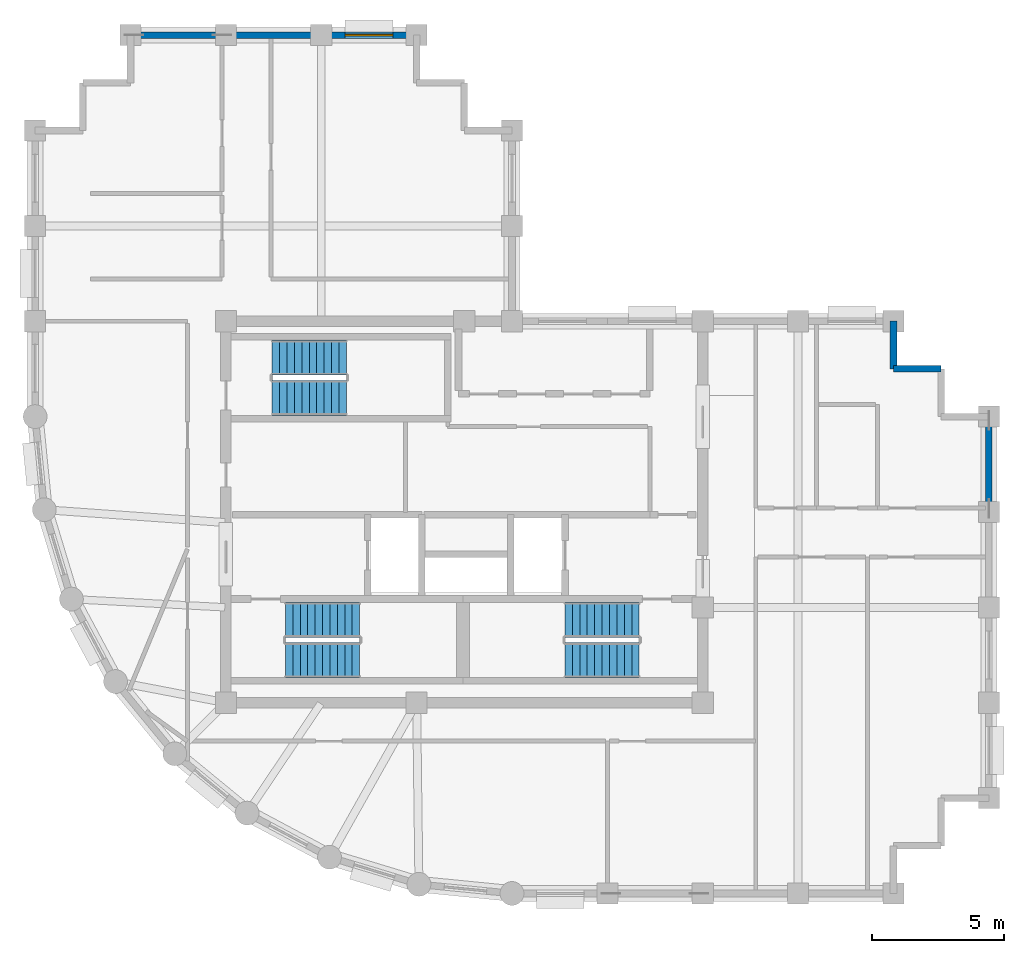
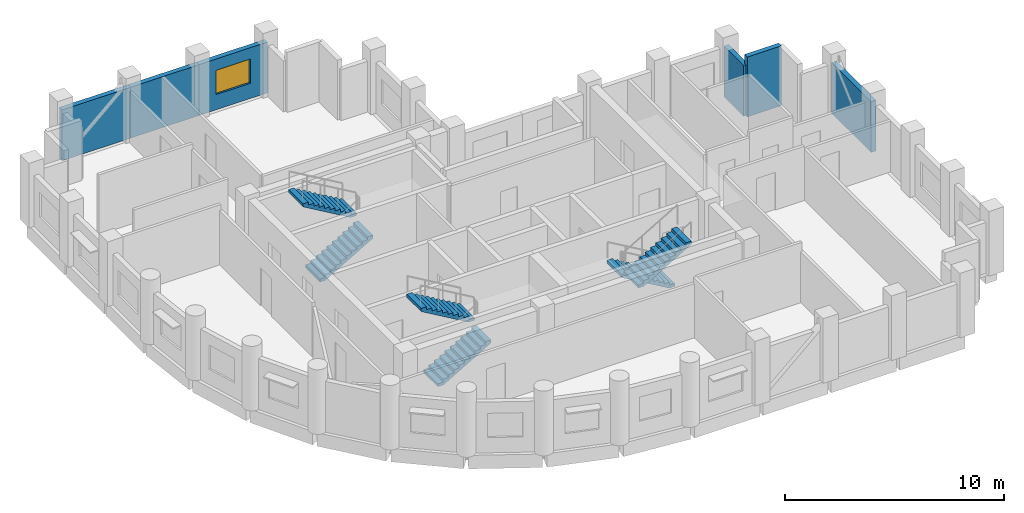
# One storey, part 5 of 7: 6 stair flights, 6 walls, 1 window, 1 opening, 3 elements without a shape of their own.
"""IFC4 building model written with IfcOpenShell, lengths in metres."""

from ifc_helpers import new_model, si_unit, direction, frame, frame_2d, origin, place, context, subcontext, project, spatial, polyline, rectangle, outline, extrude, material, layer, layer_set, type_object, element, fill, aggregate, save


model = new_model("IFC4")

# Units and contexts
model_context = context("Model", 3, precision=1e-05, world=origin(), true_north=direction((0.0, 1.0)))
body_context = subcontext(model_context, "Body", "Model", "MODEL_VIEW")
ifc_project = project(units=[si_unit("LENGTHUNIT", "METRE"), si_unit("AREAUNIT", "SQUARE_METRE"), si_unit("VOLUMEUNIT", "CUBIC_METRE"), si_unit("PLANEANGLEUNIT", "RADIAN"), si_unit("MASSUNIT", "GRAM", prefix="KILO")], contexts=[model_context])

# Site, building, storey
site_placement = place(None, origin())
site = spatial("IfcSite", under=ifc_project, at=site_placement, CompositionType="ELEMENT")
building_placement = place(site_placement, origin())
building = spatial("IfcBuilding", under=site, at=building_placement, Name="Solnavia Interchange Tower", CompositionType="ELEMENT")
storey_placement = place(building_placement, frame((0.0, 0.0, 259.39990234375)))
storey = spatial("IfcBuildingStorey", under=building, at=storey_placement, Name="L65", CompositionType="ELEMENT", Elevation=259.39990234375)

# Walls
ifc_material_1 = material(Name="Concrete C40/50", Category="concrete")
ifc_layer = layer(ifc_material_1, 0.25)
ifc_layer_set = layer_set([ifc_layer], Name="Concrete C40/50")
wall_type = type_object("IfcWallType", Name="Wall-ExtSpandrel-250", PredefinedType="STANDARD", material=ifc_layer_set)
wall_1_placement = place(storey_placement, frame((43.199951171875, 21.60009765625, 0.0), z_axis=(0.0, 0.0, 1.0), x_axis=(0.0, -1.0, 0.0)))
element("IfcWall", 1, at=wall_1_placement, inside=storey, type_object=wall_type, Name="EXW-L65-12 Exterior precast spandrel wall", PredefinedType="STANDARD", context=body_context, shape_type="SweptSolid", body=[
    extrude(rectangle(XDim=3.60009765625, YDim=0.25, at=frame_2d((1.800048828125, 0.0))), origin(), (0.0, 0.0, 1.0), 2.830078125),
])
wall_2_placement = place(storey_placement, frame((39.60009765625, 23.39990234375, 0.0), z_axis=(0.0, 0.0, 1.0), x_axis=(1.0, 0.0, 0.0)))
element("IfcWall", 2, at=wall_2_placement, inside=storey, type_object=wall_type, Name="EXW-L65-15 Exterior precast spandrel wall", PredefinedType="STANDARD", context=body_context, shape_type="SweptSolid", body=[
    extrude(rectangle(XDim=1.7998046875, YDim=0.25, at=frame_2d((0.89990234375, 0.0))), origin(), (0.0, 0.0, 1.0), 3.335205078125),
])
wall_3_placement = place(storey_placement, frame((39.60009765625, 25.199951171875, 0.0), z_axis=(0.0, 0.0, 1.0), x_axis=(0.0, -1.0, 0.0)))
element("IfcWall", 3, at=wall_3_placement, inside=storey, type_object=wall_type, Name="EXW-L65-16 Exterior precast spandrel wall", PredefinedType="STANDARD", context=body_context, shape_type="SweptSolid", body=[
    extrude(rectangle(XDim=1.800048828125, YDim=0.25, at=frame_2d((0.89990234375, 0.0))), origin(), (0.0, 0.0, 1.0), 2.830078125),
])

# Wall, opening, window
wall_4_placement = place(storey_placement, frame((18.0, 36.0, 0.0), z_axis=(0.0, 0.0, 1.0), x_axis=(1.0, 0.0, 0.0)))
wall_4 = element("IfcWall", 4, at=wall_4_placement, inside=storey, type_object=wall_type, Name="EXW-L65-27 Exterior precast spandrel wall", PredefinedType="STANDARD", context=body_context, shape_type="SweptSolid", body=[
    extrude(rectangle(XDim=3.60009765625, YDim=0.25, at=frame_2d((1.800048828125, 0.0))), origin(), (0.0, 0.0, 1.0), 2.830078125),
])
opening_placement = place(wall_4_placement, frame((0.89990234375, 0.0, 0.85009765625)))
opening = element("IfcOpeningElement", 5, at=opening_placement, cuts=wall_4, Name="Opening WIN-02", PredefinedType="OPENING", context=body_context, shape_type="SweptSolid", body=[
    extrude(rectangle(XDim=1.800048828125, YDim=1.35009765625, at=frame_2d((0.89990234375, 0.675048828125))), frame((0.0, 0.135009765625, 0.0), z_axis=(0.0, -1.0, 0.0), x_axis=(1.0, 0.0, 0.0)), (0.0, 0.0, 1.0), 0.27001953125),
])
ifc_material_2 = material(Name="Thermal-Break Aluminium & Low-E Glass", Category="aluminium")
window_type = type_object("IfcWindowType", Name="Window-Ribbon-1800x1350", PartitioningType="SINGLE_PANEL", PredefinedType="WINDOW", material=ifc_material_2)
window_placement = place(opening_placement, origin())
window = element("IfcWindow", 6, at=window_placement, inside=storey, type_object=window_type, Name="WIN-L65-27 Facade ribbon window", OverallHeight=1.35009765625, OverallWidth=1.800048828125, PartitioningType="SINGLE_PANEL", PredefinedType="WINDOW", context=body_context, shape_type="SweptSolid", body=[
    extrude(rectangle(XDim=1.800048828125, YDim=1.35009765625, at=frame_2d((0.89990234375, 0.675048828125))), frame((0.0, 0.030029296875, 0.0), z_axis=(0.0, -1.0, 0.0), x_axis=(1.0, 0.0, 0.0)), (0.0, 0.0, 1.0), 0.06005859375),
])
fill(opening, window)

# Walls
wall_5_placement = place(storey_placement, frame((14.39990234375, 36.0, 0.0), z_axis=(0.0, 0.0, 1.0), x_axis=(1.0, 0.0, 0.0)))
element("IfcWall", 7, at=wall_5_placement, inside=storey, type_object=wall_type, Name="EXW-L65-28 Exterior precast spandrel wall", PredefinedType="STANDARD", context=body_context, shape_type="SweptSolid", body=[
    extrude(rectangle(XDim=3.60009765625, YDim=0.25, at=frame_2d((1.800048828125, 0.0))), origin(), (0.0, 0.0, 1.0), 2.830078125),
])
wall_6_placement = place(storey_placement, frame((10.800048828125, 36.0, 0.0), z_axis=(0.0, 0.0, 1.0), x_axis=(1.0, 0.0, 0.0)))
element("IfcWall", 8, at=wall_6_placement, inside=storey, type_object=wall_type, Name="EXW-L65-29 Exterior precast spandrel wall", PredefinedType="STANDARD", context=body_context, shape_type="SweptSolid", body=[
    extrude(rectangle(XDim=3.599853515625, YDim=0.25, at=frame_2d((1.7998046875, 0.0))), origin(), (0.0, 0.0, 1.0), 2.830078125),
])

# Stair, stair flights
stair_type = type_object("IfcStairType", Name="Stair-Dogleg-RC", PredefinedType="HALF_TURN_STAIR", material=ifc_material_1)
stair_1_placement = place(storey_placement, origin())
stair_1 = element("IfcStair", 9, at=stair_1_placement, inside=storey, type_object=stair_type, Name="L65 Core exit stair 1", PredefinedType="HALF_TURN_STAIR")
stair_flight_type = type_object("IfcStairFlightType", Name="StairFlight-RC-150", PredefinedType="STRAIGHT", material=ifc_material_1)
stair_flight_1_placement = place(storey_placement, frame((16.64990234375, 12.409912109375, 0.0), z_axis=(0.0, 0.0, 1.0), x_axis=(1.0, 0.0, 0.0)))
stair_flight_1 = element("IfcStairFlight", 10, at=stair_flight_1_placement, type_object=stair_flight_type, Name="ST-1 flight 1", NumberOfRisers=11, NumberOfTreads=10, PredefinedType="STRAIGHT", RiserHeight=0.163636364, TreadLength=0.28, context=body_context, shape_type="SweptSolid", body=[
    extrude(outline(polyline([(0.0, 0.0), (0.0, 0.16357421875), (0.280029296875, 0.16357421875), (0.280029296875, 0.327392578125), (0.56005859375, 0.327392578125), (0.56005859375, 0.490966796875), (0.840087890625, 0.490966796875), (0.840087890625, 0.654541015625), (1.1201171875, 0.654541015625), (1.1201171875, 0.818115234375), (1.39990234375, 0.818115234375), (1.39990234375, 0.98193359375), (1.679931640625, 0.98193359375), (1.679931640625, 1.1455078125), (1.9599609375, 1.1455078125), (1.9599609375, 1.30908203125), (2.239990234375, 1.30908203125), (2.239990234375, 1.47265625), (2.52001953125, 1.47265625), (2.52001953125, 1.636474609375), (2.800048828125, 1.636474609375), (2.800048828125, 1.800048828125), (2.800048828125, 1.462646484375), (0.297119140625, 0.0), (0.0, 0.0)])), frame((0.0, 0.66015625, 0.0), z_axis=(0.0, -1.0, 0.0), x_axis=(1.0, 0.0, 0.0)), (0.0, 0.0, 1.0), 1.320068359375),
])
stair_flight_2_placement = place(storey_placement, frame((19.449951171875, 13.929931640625, 1.800048828125), z_axis=(0.0, 0.0, 1.0), x_axis=(-1.0, 0.0, 0.0)))
stair_flight_2 = element("IfcStairFlight", 11, at=stair_flight_2_placement, type_object=stair_flight_type, Name="ST-1 flight 2", NumberOfRisers=11, NumberOfTreads=10, PredefinedType="STRAIGHT", RiserHeight=0.163636364, TreadLength=0.28, context=body_context, shape_type="SweptSolid", body=[
    extrude(outline(polyline([(0.0, 0.0), (0.0, 0.16357421875), (0.280029296875, 0.16357421875), (0.280029296875, 0.327392578125), (0.56005859375, 0.327392578125), (0.56005859375, 0.490966796875), (0.840087890625, 0.490966796875), (0.840087890625, 0.654541015625), (1.1201171875, 0.654541015625), (1.1201171875, 0.818115234375), (1.39990234375, 0.818115234375), (1.39990234375, 0.98193359375), (1.679931640625, 0.98193359375), (1.679931640625, 1.1455078125), (1.9599609375, 1.1455078125), (1.9599609375, 1.30908203125), (2.239990234375, 1.30908203125), (2.239990234375, 1.47265625), (2.52001953125, 1.47265625), (2.52001953125, 1.636474609375), (2.800048828125, 1.636474609375), (2.800048828125, 1.800048828125), (2.800048828125, 1.462646484375), (0.297119140625, 0.0), (0.0, 0.0)])), frame((0.0, 0.66015625, 0.0), z_axis=(0.0, -1.0, 0.0), x_axis=(1.0, 0.0, 0.0)), (0.0, 0.0, 1.0), 1.320068359375),
])
aggregate(stair_1, [stair_flight_1, stair_flight_2])

stair_2_placement = place(storey_placement, origin())
stair_2 = element("IfcStair", 12, at=stair_2_placement, inside=storey, type_object=stair_type, Name="L65 Core exit stair 2", PredefinedType="HALF_TURN_STAIR")
stair_flight_3_placement = place(storey_placement, frame((30.0, 13.929931640625, 0.0), z_axis=(0.0, 0.0, 1.0), x_axis=(-1.0, 0.0, 0.0)))
stair_flight_3 = element("IfcStairFlight", 13, at=stair_flight_3_placement, type_object=stair_flight_type, Name="ST-2 flight 1", NumberOfRisers=11, NumberOfTreads=10, PredefinedType="STRAIGHT", RiserHeight=0.163636364, TreadLength=0.28, context=body_context, shape_type="SweptSolid", body=[
    extrude(outline(polyline([(0.0, 0.0), (0.0, 0.16357421875), (0.280029296875, 0.16357421875), (0.280029296875, 0.327392578125), (0.56005859375, 0.327392578125), (0.56005859375, 0.490966796875), (0.840087890625, 0.490966796875), (0.840087890625, 0.654541015625), (1.1201171875, 0.654541015625), (1.1201171875, 0.818115234375), (1.39990234375, 0.818115234375), (1.39990234375, 0.98193359375), (1.679931640625, 0.98193359375), (1.679931640625, 1.1455078125), (1.9599609375, 1.1455078125), (1.9599609375, 1.30908203125), (2.239990234375, 1.30908203125), (2.239990234375, 1.47265625), (2.52001953125, 1.47265625), (2.52001953125, 1.636474609375), (2.800048828125, 1.636474609375), (2.800048828125, 1.800048828125), (2.800048828125, 1.462646484375), (0.297119140625, 0.0), (0.0, 0.0)])), frame((0.0, 0.66015625, 0.0), z_axis=(0.0, -1.0, 0.0), x_axis=(1.0, 0.0, 0.0)), (0.0, 0.0, 1.0), 1.320068359375),
])
stair_flight_4_placement = place(storey_placement, frame((27.199951171875, 12.409912109375, 1.800048828125), z_axis=(0.0, 0.0, 1.0), x_axis=(1.0, 0.0, 0.0)))
stair_flight_4 = element("IfcStairFlight", 14, at=stair_flight_4_placement, type_object=stair_flight_type, Name="ST-2 flight 2", NumberOfRisers=11, NumberOfTreads=10, PredefinedType="STRAIGHT", RiserHeight=0.163636364, TreadLength=0.28, context=body_context, shape_type="SweptSolid", body=[
    extrude(outline(polyline([(0.0, 0.0), (0.0, 0.16357421875), (0.280029296875, 0.16357421875), (0.280029296875, 0.327392578125), (0.56005859375, 0.327392578125), (0.56005859375, 0.490966796875), (0.840087890625, 0.490966796875), (0.840087890625, 0.654541015625), (1.1201171875, 0.654541015625), (1.1201171875, 0.818115234375), (1.39990234375, 0.818115234375), (1.39990234375, 0.98193359375), (1.679931640625, 0.98193359375), (1.679931640625, 1.1455078125), (1.9599609375, 1.1455078125), (1.9599609375, 1.30908203125), (2.239990234375, 1.30908203125), (2.239990234375, 1.47265625), (2.52001953125, 1.47265625), (2.52001953125, 1.636474609375), (2.800048828125, 1.636474609375), (2.800048828125, 1.800048828125), (2.800048828125, 1.462646484375), (0.297119140625, 0.0), (0.0, 0.0)])), frame((0.0, 0.66015625, 0.0), z_axis=(0.0, -1.0, 0.0), x_axis=(1.0, 0.0, 0.0)), (0.0, 0.0, 1.0), 1.320068359375),
])
aggregate(stair_2, [stair_flight_3, stair_flight_4])

stair_3_placement = place(storey_placement, origin())
stair_3 = element("IfcStair", 15, at=stair_3_placement, inside=storey, type_object=stair_type, Name="L65 Core exit stair 3", PredefinedType="HALF_TURN_STAIR")
stair_flight_5_placement = place(storey_placement, frame((16.14990234375, 22.31005859375, 0.0), z_axis=(0.0, 0.0, 1.0), x_axis=(1.0, 0.0, 0.0)))
stair_flight_5 = element("IfcStairFlight", 16, at=stair_flight_5_placement, type_object=stair_flight_type, Name="ST-3 flight 1", NumberOfRisers=11, NumberOfTreads=10, PredefinedType="STRAIGHT", RiserHeight=0.163636364, TreadLength=0.28, context=body_context, shape_type="SweptSolid", body=[
    extrude(outline(polyline([(0.0, 0.0), (0.0, 0.16357421875), (0.280029296875, 0.16357421875), (0.280029296875, 0.327392578125), (0.56005859375, 0.327392578125), (0.56005859375, 0.490966796875), (0.840087890625, 0.490966796875), (0.840087890625, 0.654541015625), (1.1201171875, 0.654541015625), (1.1201171875, 0.818115234375), (1.39990234375, 0.818115234375), (1.39990234375, 0.98193359375), (1.679931640625, 0.98193359375), (1.679931640625, 1.1455078125), (1.9599609375, 1.1455078125), (1.9599609375, 1.30908203125), (2.239990234375, 1.30908203125), (2.239990234375, 1.47265625), (2.52001953125, 1.47265625), (2.52001953125, 1.636474609375), (2.800048828125, 1.636474609375), (2.800048828125, 1.800048828125), (2.800048828125, 1.462646484375), (0.297119140625, 0.0), (0.0, 0.0)])), frame((0.0, 0.66015625, 0.0), z_axis=(0.0, -1.0, 0.0), x_axis=(1.0, 0.0, 0.0)), (0.0, 0.0, 1.0), 1.320068359375),
])
stair_flight_6_placement = place(storey_placement, frame((18.949951171875, 23.830078125, 1.800048828125), z_axis=(0.0, 0.0, 1.0), x_axis=(-1.0, 0.0, 0.0)))
stair_flight_6 = element("IfcStairFlight", 17, at=stair_flight_6_placement, type_object=stair_flight_type, Name="ST-3 flight 2", NumberOfRisers=11, NumberOfTreads=10, PredefinedType="STRAIGHT", RiserHeight=0.163636364, TreadLength=0.28, context=body_context, shape_type="SweptSolid", body=[
    extrude(outline(polyline([(0.0, 0.0), (0.0, 0.16357421875), (0.280029296875, 0.16357421875), (0.280029296875, 0.327392578125), (0.56005859375, 0.327392578125), (0.56005859375, 0.490966796875), (0.840087890625, 0.490966796875), (0.840087890625, 0.654541015625), (1.1201171875, 0.654541015625), (1.1201171875, 0.818115234375), (1.39990234375, 0.818115234375), (1.39990234375, 0.98193359375), (1.679931640625, 0.98193359375), (1.679931640625, 1.1455078125), (1.9599609375, 1.1455078125), (1.9599609375, 1.30908203125), (2.239990234375, 1.30908203125), (2.239990234375, 1.47265625), (2.52001953125, 1.47265625), (2.52001953125, 1.636474609375), (2.800048828125, 1.636474609375), (2.800048828125, 1.800048828125), (2.800048828125, 1.462646484375), (0.297119140625, 0.0), (0.0, 0.0)])), frame((0.0, 0.66015625, 0.0), z_axis=(0.0, -1.0, 0.0), x_axis=(1.0, 0.0, 0.0)), (0.0, 0.0, 1.0), 1.320068359375),
])
aggregate(stair_3, [stair_flight_5, stair_flight_6])

save(model, "model.ifc")
